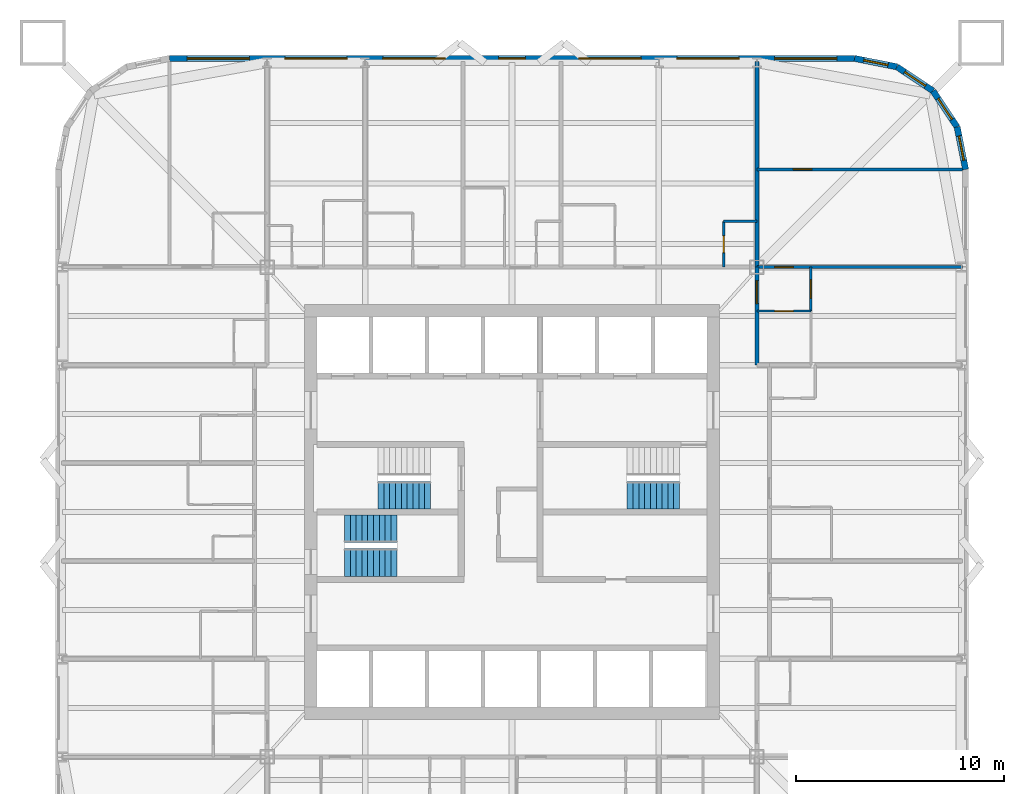
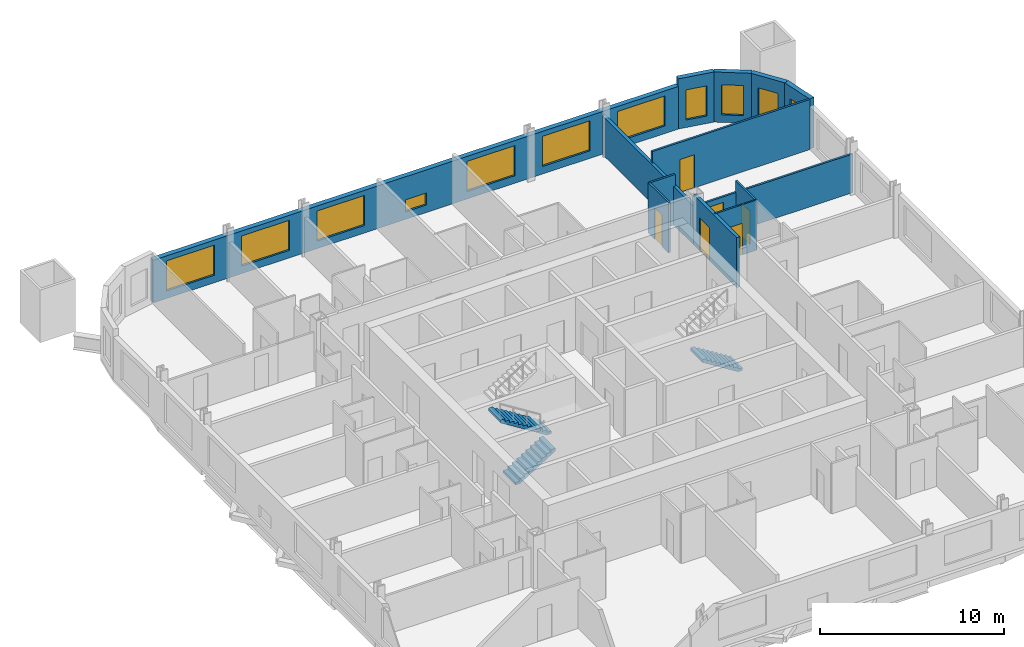
# One storey, part 8 of 10: 13 walls, 11 windows, 6 doors, 4 stair flights, 17 openings, 3 elements without a shape of their own.
"""IFC4 building model written with IfcOpenShell, lengths in metres."""

from ifc_helpers import new_model, si_unit, direction, frame, frame_2d, origin, place, context, subcontext, project, spatial, polyline, rectangle, outline, extrude, material, layer, layer_set, type_object, element, fill, aggregate, save


model = new_model("IFC4")

# Units and contexts
model_context = context("Model", 3, precision=1e-05, world=origin(), true_north=direction((0.0, 1.0)))
body_context = subcontext(model_context, "Body", "Model", "MODEL_VIEW")
ifc_project = project(units=[si_unit("LENGTHUNIT", "METRE"), si_unit("AREAUNIT", "SQUARE_METRE"), si_unit("VOLUMEUNIT", "CUBIC_METRE"), si_unit("PLANEANGLEUNIT", "RADIAN"), si_unit("MASSUNIT", "GRAM", prefix="KILO")], contexts=[model_context])

# Site, building, storey
site_placement = place(None, origin())
site = spatial("IfcSite", under=ifc_project, at=site_placement, CompositionType="ELEMENT")
building_placement = place(site_placement, origin())
building = spatial("IfcBuilding", under=site, at=building_placement, Name="Turquesa Mirador Hotel Tower", CompositionType="ELEMENT")
storey_placement = place(building_placement, frame((0.0, 0.0, 53.0)))
storey = spatial("IfcBuildingStorey", under=building, at=storey_placement, Name="L13", CompositionType="ELEMENT", Elevation=53.0)

# Wall, opening, door
ifc_material_1 = material(Name="Gypsum board on steel studs", Category="steel")
ifc_layer_1 = layer(ifc_material_1, 0.10009765625)
ifc_layer_set_1 = layer_set([ifc_layer_1], Name="BATHROOM WALL 100")
wall_type_1 = type_object("IfcWallType", Name="BATHROOM WALL 100", PredefinedType="PARTITIONING", material=ifc_layer_set_1)
wall_1_placement = place(storey_placement, frame((66.800048828125, 54.679931640625, 0.0), z_axis=(0.0, 0.0, 1.0), x_axis=(1.0, 0.0, 0.0)))
wall_1 = element("IfcWall", 1, at=wall_1_placement, inside=storey, type_object=wall_type_1, Name="Partition L13 047", PredefinedType="PARTITIONING", context=body_context, shape_type="SweptSolid", body=[
    extrude(rectangle(XDim=2.599853515625, YDim=0.10009765625, at=frame_2d((1.2998046875, 0.0))), origin(), (0.0, 0.0, 1.0), 3.330078125),
])
opening_1_placement = place(wall_1_placement, frame((0.85009765625, 0.0, 0.0)))
opening_1 = element("IfcOpeningElement", 2, at=opening_1_placement, cuts=wall_1, Name="Opening D02", PredefinedType="OPENING", context=body_context, shape_type="SweptSolid", body=[
    extrude(rectangle(XDim=0.89990234375, YDim=2.10009765625, at=frame_2d((0.449951171875, 1.050048828125))), frame((0.0, 0.06005859375, 0.0), z_axis=(0.0, -1.0, 0.0), x_axis=(1.0, 0.0, 0.0)), (0.0, 0.0, 1.0), 0.1201171875),
])
ifc_material_2 = material(Name="Timber veneered door", Category="wood")
door_type_1 = type_object("IfcDoorType", Name="DOOR 900X2100 EN-SUITE", OperationType="SINGLE_SWING_RIGHT", PredefinedType="DOOR", material=ifc_material_2)
door_1_placement = place(opening_1_placement, origin())
door_1 = element("IfcDoor", 3, at=door_1_placement, inside=storey, type_object=door_type_1, Name="Door 1313B", OperationType="SINGLE_SWING_RIGHT", OverallHeight=2.10009765625, OverallWidth=0.89990234375, PredefinedType="DOOR", context=body_context, shape_type="SweptSolid", body=[
    extrude(rectangle(XDim=0.89990234375, YDim=2.10009765625, at=frame_2d((0.449951171875, 1.050048828125))), frame((0.0, 0.02490234375, 0.0), z_axis=(0.0, -1.0, 0.0), x_axis=(1.0, 0.0, 0.0)), (0.0, 0.0, 1.0), 0.050048828125),
])
fill(opening_1, door_1)

ifc_material_3 = material(Name="Fire-rated gypsum board on steel studs", Category="steel")
ifc_layer_2 = layer(ifc_material_3, 0.199951171875)
ifc_layer_set_2 = layer_set([ifc_layer_2], Name="CORRIDOR WALL 200")
wall_type_2 = type_object("IfcWallType", Name="CORRIDOR WALL 200", PredefinedType="PARTITIONING", material=ifc_layer_set_2)
wall_2_placement = place(storey_placement, frame((66.800048828125, 52.080078125, 0.0), z_axis=(0.0, 0.0, 1.0), x_axis=(0.0, 1.0, 0.0)))
wall_2 = element("IfcWall", 4, at=wall_2_placement, inside=storey, type_object=wall_type_2, Name="Partition L13 075", PredefinedType="PARTITIONING", context=body_context, shape_type="SweptSolid", body=[
    extrude(rectangle(XDim=4.719970703125, YDim=0.199951171875, at=frame_2d((2.35986328125, 0.0))), origin(), (0.0, 0.0, 1.0), 3.330078125),
])
opening_2_placement = place(wall_2_placement, frame((2.9599609375, 0.0, 0.0)))
opening_2 = element("IfcOpeningElement", 5, at=opening_2_placement, cuts=wall_2, Name="Opening D15", PredefinedType="OPENING", context=body_context, shape_type="SweptSolid", body=[
    extrude(rectangle(XDim=1.10009765625, YDim=2.199951171875, at=frame_2d((0.550048828125, 1.10009765625))), frame((0.0, 0.10986328125, 0.0), z_axis=(0.0, -1.0, 0.0), x_axis=(1.0, 0.0, 0.0)), (0.0, 0.0, 1.0), 0.219970703125),
])
ifc_material_4 = material(Name="Timber veneered fire door", Category="wood")
door_type_2 = type_object("IfcDoorType", Name="DOOR 1100X2200 SUITE ENTRY", OperationType="SINGLE_SWING_LEFT", PredefinedType="DOOR", material=ifc_material_4)
door_2_placement = place(opening_2_placement, origin())
door_2 = element("IfcDoor", 6, at=door_2_placement, inside=storey, type_object=door_type_2, Name="Door 1313H", OperationType="SINGLE_SWING_LEFT", OverallHeight=2.199951171875, OverallWidth=1.10009765625, PredefinedType="DOOR", context=body_context, shape_type="SweptSolid", body=[
    extrude(rectangle(XDim=1.10009765625, YDim=2.199951171875, at=frame_2d((0.550048828125, 1.10009765625))), frame((0.0, 0.02490234375, 0.0), z_axis=(0.0, -1.0, 0.0), x_axis=(1.0, 0.0, 0.0)), (0.0, 0.0, 1.0), 0.050048828125),
])
fill(opening_2, door_2)

# Wall, opening, window
ifc_material_5 = material(Name="Limestone cladding on concrete block", Category="masonry")
ifc_layer_3 = layer(ifc_material_5, 0.300048828125)
ifc_layer_set_3 = layer_set([ifc_layer_3], Name="FACADE WALL 300 STONE SCREEN")
wall_type_3 = type_object("IfcWallType", Name="FACADE WALL 300 STONE SCREEN", PredefinedType="SOLIDWALL", material=ifc_layer_set_3)
wall_3_placement = place(storey_placement, frame((76.85009765625, 61.5, 0.0), z_axis=(0.0, 0.0, 1.0), x_axis=(-0.195081421501, 0.980787050784, 0.0)))
wall_3 = element("IfcWall", 7, at=wall_3_placement, inside=storey, type_object=wall_type_3, Name="Facade wall L13 05", PredefinedType="SOLIDWALL", context=body_context, shape_type="SweptSolid", body=[
    extrude(rectangle(XDim=2.08740234375, YDim=0.300048828125, at=frame_2d((1.043701171875, 0.0))), origin(), (0.0, 0.0, 1.0), 3.330078125),
])
opening_3_placement = place(wall_3_placement, frame((0.443603515625, 0.0, 0.5)))
opening_3 = element("IfcOpeningElement", 8, at=opening_3_placement, cuts=wall_3, Name="Opening WN4", PredefinedType="OPENING", context=body_context, shape_type="SweptSolid", body=[
    extrude(rectangle(XDim=1.199951171875, YDim=2.0, at=frame_2d((0.60009765625, 1.0))), frame((0.0, 0.159912109375, 0.0), z_axis=(0.0, -1.0, 0.0), x_axis=(1.0, 0.0, 0.0)), (0.0, 0.0, 1.0), 0.320068359375),
])
ifc_material_6 = material(Name="Ceramic-fritted laminated glass", Category="glass")
window_type_1 = type_object("IfcWindowType", Name="FRITTED CORNER WINDOW 1200X2000", PartitioningType="DOUBLE_PANEL_HORIZONTAL", PredefinedType="WINDOW", material=ifc_material_6)
window_1_placement = place(opening_3_placement, origin())
window_1 = element("IfcWindow", 9, at=window_1_placement, inside=storey, type_object=window_type_1, Name="Window L13", OverallHeight=2.0, OverallWidth=1.199951171875, PartitioningType="SINGLE_PANEL", PredefinedType="WINDOW", context=body_context, shape_type="SweptSolid", body=[
    extrude(rectangle(XDim=1.199951171875, YDim=2.0, at=frame_2d((0.60009765625, 1.0))), frame((0.0, 0.030029296875, 0.0), z_axis=(0.0, -1.0, 0.0), x_axis=(1.0, 0.0, 0.0)), (0.0, 0.0, 1.0), 0.06005859375),
])
fill(opening_3, window_1)

wall_4_placement = place(storey_placement, frame((76.44287109375, 63.54736328125, 0.0), z_axis=(0.0, 0.0, 1.0), x_axis=(-0.555644460423, 0.831420010345, 0.0)))
wall_4 = element("IfcWall", 10, at=wall_4_placement, inside=storey, type_object=wall_type_3, Name="Facade wall L13 06", PredefinedType="SOLIDWALL", context=body_context, shape_type="SweptSolid", body=[
    extrude(rectangle(XDim=2.08740234375, YDim=0.300048828125, at=frame_2d((1.043701171875, 0.0))), origin(), (0.0, 0.0, 1.0), 3.330078125),
])
opening_4_placement = place(wall_4_placement, frame((0.443603515625, 0.0, 0.5)))
opening_4 = element("IfcOpeningElement", 11, at=opening_4_placement, cuts=wall_4, Name="Opening WN4", PredefinedType="OPENING", context=body_context, shape_type="SweptSolid", body=[
    extrude(rectangle(XDim=1.199951171875, YDim=2.0, at=frame_2d((0.60009765625, 1.0))), frame((0.0, 0.159912109375, 0.0), z_axis=(0.0, -1.0, 0.0), x_axis=(1.0, 0.0, 0.0)), (0.0, 0.0, 1.0), 0.320068359375),
])
window_2_placement = place(opening_4_placement, origin())
window_2 = element("IfcWindow", 12, at=window_2_placement, inside=storey, type_object=window_type_1, Name="Window L13", OverallHeight=2.0, OverallWidth=1.199951171875, PartitioningType="SINGLE_PANEL", PredefinedType="WINDOW", context=body_context, shape_type="SweptSolid", body=[
    extrude(rectangle(XDim=1.199951171875, YDim=2.0, at=frame_2d((0.60009765625, 1.0))), frame((0.0, 0.030029296875, 0.0), z_axis=(0.0, -1.0, 0.0), x_axis=(1.0, 0.0, 0.0)), (0.0, 0.0, 1.0), 0.06005859375),
])
fill(opening_4, window_2)

wall_5_placement = place(storey_placement, frame((75.282958984375, 65.282958984375, 0.0), z_axis=(0.0, 0.0, 1.0), x_axis=(-0.831420010345, 0.555644460423, 0.0)))
wall_5 = element("IfcWall", 13, at=wall_5_placement, inside=storey, type_object=wall_type_3, Name="Facade wall L13 07", PredefinedType="SOLIDWALL", context=body_context, shape_type="SweptSolid", body=[
    extrude(rectangle(XDim=2.08740234375, YDim=0.300048828125, at=frame_2d((1.043701171875, 0.0))), origin(), (0.0, 0.0, 1.0), 3.330078125),
])
opening_5_placement = place(wall_5_placement, frame((0.443603515625, 0.0, 0.5)))
opening_5 = element("IfcOpeningElement", 14, at=opening_5_placement, cuts=wall_5, Name="Opening WN4", PredefinedType="OPENING", context=body_context, shape_type="SweptSolid", body=[
    extrude(rectangle(XDim=1.199951171875, YDim=2.0, at=frame_2d((0.60009765625, 1.0))), frame((0.0, 0.159912109375, 0.0), z_axis=(0.0, -1.0, 0.0), x_axis=(1.0, 0.0, 0.0)), (0.0, 0.0, 1.0), 0.320068359375),
])
window_3_placement = place(opening_5_placement, origin())
window_3 = element("IfcWindow", 15, at=window_3_placement, inside=storey, type_object=window_type_1, Name="Window L13", OverallHeight=2.0, OverallWidth=1.199951171875, PartitioningType="SINGLE_PANEL", PredefinedType="WINDOW", context=body_context, shape_type="SweptSolid", body=[
    extrude(rectangle(XDim=1.199951171875, YDim=2.0, at=frame_2d((0.60009765625, 1.0))), frame((0.0, 0.030029296875, 0.0), z_axis=(0.0, -1.0, 0.0), x_axis=(1.0, 0.0, 0.0)), (0.0, 0.0, 1.0), 0.06005859375),
])
fill(opening_5, window_3)

wall_6_placement = place(storey_placement, frame((73.54736328125, 66.44287109375, 0.0), z_axis=(0.0, 0.0, 1.0), x_axis=(-0.980787050784, 0.195081421501, 0.0)))
wall_6 = element("IfcWall", 16, at=wall_6_placement, inside=storey, type_object=wall_type_3, Name="Facade wall L13 08", PredefinedType="SOLIDWALL", context=body_context, shape_type="SweptSolid", body=[
    extrude(rectangle(XDim=2.08740234375, YDim=0.300048828125, at=frame_2d((1.043701171875, 0.0))), origin(), (0.0, 0.0, 1.0), 3.330078125),
])
opening_6_placement = place(wall_6_placement, frame((0.443603515625, 0.0, 0.5)))
opening_6 = element("IfcOpeningElement", 17, at=opening_6_placement, cuts=wall_6, Name="Opening WN4", PredefinedType="OPENING", context=body_context, shape_type="SweptSolid", body=[
    extrude(rectangle(XDim=1.199951171875, YDim=2.0, at=frame_2d((0.60009765625, 1.0))), frame((0.0, 0.159912109375, 0.0), z_axis=(0.0, -1.0, 0.0), x_axis=(1.0, 0.0, 0.0)), (0.0, 0.0, 1.0), 0.320068359375),
])
window_4_placement = place(opening_6_placement, origin())
window_4 = element("IfcWindow", 18, at=window_4_placement, inside=storey, type_object=window_type_1, Name="Window L13", OverallHeight=2.0, OverallWidth=1.199951171875, PartitioningType="SINGLE_PANEL", PredefinedType="WINDOW", context=body_context, shape_type="SweptSolid", body=[
    extrude(rectangle(XDim=1.199951171875, YDim=2.0, at=frame_2d((0.60009765625, 1.0))), frame((0.0, 0.030029296875, 0.0), z_axis=(0.0, -1.0, 0.0), x_axis=(1.0, 0.0, 0.0)), (0.0, 0.0, 1.0), 0.06005859375),
])
fill(opening_6, window_4)

# Wall, openings, windows
wall_7_placement = place(storey_placement, frame((71.5, 66.85009765625, 0.0), z_axis=(0.0, 0.0, 1.0), x_axis=(-1.0, 0.0, 0.0)))
wall_7 = element("IfcWall", 19, at=wall_7_placement, inside=storey, type_object=wall_type_3, Name="Facade wall L13 09", PredefinedType="SOLIDWALL", context=body_context, shape_type="SweptSolid", body=[
    extrude(rectangle(XDim=33.0, YDim=0.300048828125, at=frame_2d((16.5, 0.0))), origin(), (0.0, 0.0, 1.0), 2.830078125),
])
opening_7_placement = place(wall_7_placement, frame((0.85009765625, 0.0, 0.5)))
opening_7 = element("IfcOpeningElement", 20, at=opening_7_placement, cuts=wall_7, Name="Opening WN1", PredefinedType="OPENING", context=body_context, shape_type="SweptSolid", body=[
    extrude(rectangle(XDim=3.0, YDim=2.0, at=frame_2d((1.5, 1.0))), frame((0.0, 0.159912109375, 0.0), z_axis=(0.0, -1.0, 0.0), x_axis=(1.0, 0.0, 0.0)), (0.0, 0.0, 1.0), 0.320068359375),
])
opening_8_placement = place(wall_7_placement, frame((5.56005859375, 0.0, 0.5)))
opening_8 = element("IfcOpeningElement", 21, at=opening_8_placement, cuts=wall_7, Name="Opening WN1", PredefinedType="OPENING", context=body_context, shape_type="SweptSolid", body=[
    extrude(rectangle(XDim=3.0, YDim=2.0, at=frame_2d((1.5, 1.0))), frame((0.0, 0.159912109375, 0.0), z_axis=(0.0, -1.0, 0.0), x_axis=(1.0, 0.0, 0.0)), (0.0, 0.0, 1.0), 0.320068359375),
])
opening_9_placement = place(wall_7_placement, frame((10.280029296875, 0.0, 0.5)))
opening_9 = element("IfcOpeningElement", 22, at=opening_9_placement, cuts=wall_7, Name="Opening WN1", PredefinedType="OPENING", context=body_context, shape_type="SweptSolid", body=[
    extrude(rectangle(XDim=3.0, YDim=2.0, at=frame_2d((1.5, 1.0))), frame((0.0, 0.159912109375, 0.0), z_axis=(0.0, -1.0, 0.0), x_axis=(1.0, 0.0, 0.0)), (0.0, 0.0, 1.0), 0.320068359375),
])
opening_10_placement = place(wall_7_placement, frame((15.85009765625, 0.0, 0.5)))
opening_10 = element("IfcOpeningElement", 23, at=opening_10_placement, cuts=wall_7, Name="Opening WN41", PredefinedType="OPENING", context=body_context, shape_type="SweptSolid", body=[
    extrude(rectangle(XDim=1.300048828125, YDim=0.800048828125, at=frame_2d((0.64990234375, 0.39990234375))), frame((0.0, 0.159912109375, 0.0), z_axis=(0.0, -1.0, 0.0), x_axis=(1.0, 0.0, 0.0)), (0.0, 0.0, 1.0), 0.320068359375),
])
opening_11_placement = place(wall_7_placement, frame((19.719970703125, 0.0, 0.5)))
opening_11 = element("IfcOpeningElement", 24, at=opening_11_placement, cuts=wall_7, Name="Opening WN1", PredefinedType="OPENING", context=body_context, shape_type="SweptSolid", body=[
    extrude(rectangle(XDim=3.0, YDim=2.0, at=frame_2d((1.5, 1.0))), frame((0.0, 0.159912109375, 0.0), z_axis=(0.0, -1.0, 0.0), x_axis=(1.0, 0.0, 0.0)), (0.0, 0.0, 1.0), 0.320068359375),
])
opening_12_placement = place(wall_7_placement, frame((24.43994140625, 0.0, 0.5)))
opening_12 = element("IfcOpeningElement", 25, at=opening_12_placement, cuts=wall_7, Name="Opening WN1", PredefinedType="OPENING", context=body_context, shape_type="SweptSolid", body=[
    extrude(rectangle(XDim=3.0, YDim=2.0, at=frame_2d((1.5, 1.0))), frame((0.0, 0.159912109375, 0.0), z_axis=(0.0, -1.0, 0.0), x_axis=(1.0, 0.0, 0.0)), (0.0, 0.0, 1.0), 0.320068359375),
])
opening_13_placement = place(wall_7_placement, frame((29.14990234375, 0.0, 0.5)))
opening_13 = element("IfcOpeningElement", 26, at=opening_13_placement, cuts=wall_7, Name="Opening WN1", PredefinedType="OPENING", context=body_context, shape_type="SweptSolid", body=[
    extrude(rectangle(XDim=3.0, YDim=2.0, at=frame_2d((1.5, 1.0))), frame((0.0, 0.159912109375, 0.0), z_axis=(0.0, -1.0, 0.0), x_axis=(1.0, 0.0, 0.0)), (0.0, 0.0, 1.0), 0.320068359375),
])
ifc_material_7 = material(Name="Ceramic-fritted laminated glass", Category="glass")
window_type_2 = type_object("IfcWindowType", Name="FRITTED WINDOW 1300X800", PartitioningType="DOUBLE_PANEL_HORIZONTAL", PredefinedType="WINDOW", material=ifc_material_7)
window_5_placement = place(opening_10_placement, origin())
window_5 = element("IfcWindow", 27, at=window_5_placement, inside=storey, type_object=window_type_2, Name="Window L13", OverallHeight=0.800048828125, OverallWidth=1.300048828125, PartitioningType="SINGLE_PANEL", PredefinedType="WINDOW", context=body_context, shape_type="SweptSolid", body=[
    extrude(rectangle(XDim=1.300048828125, YDim=0.800048828125, at=frame_2d((0.64990234375, 0.39990234375))), frame((0.0, 0.030029296875, 0.0), z_axis=(0.0, -1.0, 0.0), x_axis=(1.0, 0.0, 0.0)), (0.0, 0.0, 1.0), 0.06005859375),
])
fill(opening_10, window_5)
ifc_material_8 = material(Name="Ceramic-fritted laminated glass", Category="glass")
window_type_3 = type_object("IfcWindowType", Name="FRITTED WINDOW 3000X2000", PartitioningType="DOUBLE_PANEL_HORIZONTAL", PredefinedType="WINDOW", material=ifc_material_8)
window_6_placement = place(opening_7_placement, origin())
window_6 = element("IfcWindow", 28, at=window_6_placement, inside=storey, type_object=window_type_3, Name="Window L13", OverallHeight=2.0, OverallWidth=3.0, PartitioningType="SINGLE_PANEL", PredefinedType="WINDOW", context=body_context, shape_type="SweptSolid", body=[
    extrude(rectangle(XDim=3.0, YDim=2.0, at=frame_2d((1.5, 1.0))), frame((0.0, 0.030029296875, 0.0), z_axis=(0.0, -1.0, 0.0), x_axis=(1.0, 0.0, 0.0)), (0.0, 0.0, 1.0), 0.06005859375),
])
fill(opening_7, window_6)
window_7_placement = place(opening_8_placement, origin())
window_7 = element("IfcWindow", 29, at=window_7_placement, inside=storey, type_object=window_type_3, Name="Window L13", OverallHeight=2.0, OverallWidth=3.0, PartitioningType="SINGLE_PANEL", PredefinedType="WINDOW", context=body_context, shape_type="SweptSolid", body=[
    extrude(rectangle(XDim=3.0, YDim=2.0, at=frame_2d((1.5, 1.0))), frame((0.0, 0.030029296875, 0.0), z_axis=(0.0, -1.0, 0.0), x_axis=(1.0, 0.0, 0.0)), (0.0, 0.0, 1.0), 0.06005859375),
])
fill(opening_8, window_7)
window_8_placement = place(opening_9_placement, origin())
window_8 = element("IfcWindow", 30, at=window_8_placement, inside=storey, type_object=window_type_3, Name="Window L13", OverallHeight=2.0, OverallWidth=3.0, PartitioningType="SINGLE_PANEL", PredefinedType="WINDOW", context=body_context, shape_type="SweptSolid", body=[
    extrude(rectangle(XDim=3.0, YDim=2.0, at=frame_2d((1.5, 1.0))), frame((0.0, 0.030029296875, 0.0), z_axis=(0.0, -1.0, 0.0), x_axis=(1.0, 0.0, 0.0)), (0.0, 0.0, 1.0), 0.06005859375),
])
fill(opening_9, window_8)
window_9_placement = place(opening_11_placement, origin())
window_9 = element("IfcWindow", 31, at=window_9_placement, inside=storey, type_object=window_type_3, Name="Window L13", OverallHeight=2.0, OverallWidth=3.0, PartitioningType="SINGLE_PANEL", PredefinedType="WINDOW", context=body_context, shape_type="SweptSolid", body=[
    extrude(rectangle(XDim=3.0, YDim=2.0, at=frame_2d((1.5, 1.0))), frame((0.0, 0.030029296875, 0.0), z_axis=(0.0, -1.0, 0.0), x_axis=(1.0, 0.0, 0.0)), (0.0, 0.0, 1.0), 0.06005859375),
])
fill(opening_11, window_9)
window_10_placement = place(opening_12_placement, origin())
window_10 = element("IfcWindow", 32, at=window_10_placement, inside=storey, type_object=window_type_3, Name="Window L13", OverallHeight=2.0, OverallWidth=3.0, PartitioningType="SINGLE_PANEL", PredefinedType="WINDOW", context=body_context, shape_type="SweptSolid", body=[
    extrude(rectangle(XDim=3.0, YDim=2.0, at=frame_2d((1.5, 1.0))), frame((0.0, 0.030029296875, 0.0), z_axis=(0.0, -1.0, 0.0), x_axis=(1.0, 0.0, 0.0)), (0.0, 0.0, 1.0), 0.06005859375),
])
fill(opening_12, window_10)
window_11_placement = place(opening_13_placement, origin())
window_11 = element("IfcWindow", 33, at=window_11_placement, inside=storey, type_object=window_type_3, Name="Window L13", OverallHeight=2.0, OverallWidth=3.0, PartitioningType="SINGLE_PANEL", PredefinedType="WINDOW", context=body_context, shape_type="SweptSolid", body=[
    extrude(rectangle(XDim=3.0, YDim=2.0, at=frame_2d((1.5, 1.0))), frame((0.0, 0.030029296875, 0.0), z_axis=(0.0, -1.0, 0.0), x_axis=(1.0, 0.0, 0.0)), (0.0, 0.0, 1.0), 0.06005859375),
])
fill(opening_13, window_11)

# Wall
ifc_material_9 = material(Name="Fire-rated gypsum board on steel studs", Category="steel")
ifc_layer_4 = layer(ifc_material_9, 0.199951171875)
ifc_layer_set_4 = layer_set([ifc_layer_4], Name="PARTY WALL 200")
wall_type_4 = type_object("IfcWallType", Name="PARTY WALL 200", PredefinedType="PARTITIONING", material=ifc_layer_set_4)
wall_8_placement = place(storey_placement, frame((66.800048828125, 56.800048828125, 0.0), z_axis=(0.0, 0.0, 1.0), x_axis=(0.0, 1.0, 0.0)))
element("IfcWall", 34, at=wall_8_placement, inside=storey, type_object=wall_type_4, Name="Partition L13 078", PredefinedType="PARTITIONING", context=body_context, shape_type="SweptSolid", body=[
    extrude(rectangle(XDim=9.89990234375, YDim=0.199951171875, at=frame_2d((4.949951171875, 0.0))), origin(), (0.0, 0.0, 1.0), 2.572998046875),
])

# Wall, opening, door
ifc_material_10 = material(Name="Acoustic gypsum board on steel studs", Category="steel")
ifc_layer_5 = layer(ifc_material_10, 0.125)
ifc_layer_set_5 = layer_set([ifc_layer_5], Name="SUITE PARTITION 125")
wall_type_5 = type_object("IfcWallType", Name="SUITE PARTITION 125", PredefinedType="PARTITIONING", material=ifc_layer_set_5)
wall_9_placement = place(storey_placement, frame((66.800048828125, 56.800048828125, 0.0), z_axis=(0.0, 0.0, 1.0), x_axis=(1.0, 0.0, 0.0)))
wall_9 = element("IfcWall", 35, at=wall_9_placement, inside=storey, type_object=wall_type_5, Name="Partition L13 028", PredefinedType="PARTITIONING", context=body_context, shape_type="SweptSolid", body=[
    extrude(rectangle(XDim=9.89990234375, YDim=0.125, at=frame_2d((4.949951171875, 0.0))), origin(), (0.0, 0.0, 1.0), 2.572998046875),
])
opening_14_placement = place(wall_9_placement, frame((0.85009765625, 0.0, 0.0)))
opening_14 = element("IfcOpeningElement", 36, at=opening_14_placement, cuts=wall_9, Name="Opening D17", PredefinedType="OPENING", context=body_context, shape_type="SweptSolid", body=[
    extrude(rectangle(XDim=0.89990234375, YDim=2.199951171875, at=frame_2d((0.449951171875, 1.10009765625))), frame((0.0, 0.072509765625, 0.0), z_axis=(0.0, -1.0, 0.0), x_axis=(1.0, 0.0, 0.0)), (0.0, 0.0, 1.0), 0.14501953125),
])
ifc_material_11 = material(Name="Timber veneered door", Category="wood")
door_type_3 = type_object("IfcDoorType", Name="DOOR 900X2200 SUITE INTERNAL", OperationType="SINGLE_SWING_LEFT", PredefinedType="DOOR", material=ifc_material_11)
door_3_placement = place(opening_14_placement, origin())
door_3 = element("IfcDoor", 37, at=door_3_placement, inside=storey, type_object=door_type_3, Name="Door 1313", OperationType="SINGLE_SWING_LEFT", OverallHeight=2.199951171875, OverallWidth=0.89990234375, PredefinedType="DOOR", context=body_context, shape_type="SweptSolid", body=[
    extrude(rectangle(XDim=0.89990234375, YDim=2.199951171875, at=frame_2d((0.449951171875, 1.10009765625))), frame((0.0, 0.02490234375, 0.0), z_axis=(0.0, -1.0, 0.0), x_axis=(1.0, 0.0, 0.0)), (0.0, 0.0, 1.0), 0.050048828125),
])
fill(opening_14, door_3)

# Wall
wall_10_placement = place(storey_placement, frame((65.199951171875, 59.0, 0.0), z_axis=(0.0, 0.0, 1.0), x_axis=(1.0, 0.0, 0.0)))
element("IfcWall", 38, at=wall_10_placement, inside=storey, type_object=wall_type_5, Name="Partition L13 031", PredefinedType="PARTITIONING", context=body_context, shape_type="SweptSolid", body=[
    extrude(rectangle(XDim=1.60009765625, YDim=0.125, at=frame_2d((0.800048828125, 0.0))), origin(), (0.0, 0.0, 1.0), 3.330078125),
])

# Wall, opening, door
wall_11_placement = place(storey_placement, frame((66.800048828125, 61.5, 0.0), z_axis=(0.0, 0.0, 1.0), x_axis=(1.0, 0.0, 0.0)))
wall_11 = element("IfcWall", 39, at=wall_11_placement, inside=storey, type_object=wall_type_5, Name="Partition L13 037", PredefinedType="PARTITIONING", context=body_context, shape_type="SweptSolid", body=[
    extrude(rectangle(XDim=9.89404296875, YDim=0.125, at=frame_2d((4.947021484375, 0.0))), origin(), (0.0, 0.0, 1.0), 3.330078125),
])
opening_15_placement = place(wall_11_placement, frame((1.75, 0.0, 0.0)))
opening_15 = element("IfcOpeningElement", 40, at=opening_15_placement, cuts=wall_11, Name="Opening D17", PredefinedType="OPENING", context=body_context, shape_type="SweptSolid", body=[
    extrude(rectangle(XDim=0.89990234375, YDim=2.199951171875, at=frame_2d((0.449951171875, 1.10009765625))), frame((0.0, 0.072509765625, 0.0), z_axis=(0.0, -1.0, 0.0), x_axis=(1.0, 0.0, 0.0)), (0.0, 0.0, 1.0), 0.14501953125),
])
door_4_placement = place(opening_15_placement, origin())
door_4 = element("IfcDoor", 41, at=door_4_placement, inside=storey, type_object=door_type_3, Name="Door 1313M", OperationType="SINGLE_SWING_LEFT", OverallHeight=2.199951171875, OverallWidth=0.89990234375, PredefinedType="DOOR", context=body_context, shape_type="SweptSolid", body=[
    extrude(rectangle(XDim=0.89990234375, YDim=2.199951171875, at=frame_2d((0.449951171875, 1.10009765625))), frame((0.0, 0.02490234375, 0.0), z_axis=(0.0, -1.0, 0.0), x_axis=(1.0, 0.0, 0.0)), (0.0, 0.0, 1.0), 0.050048828125),
])
fill(opening_15, door_4)

wall_12_placement = place(storey_placement, frame((65.199951171875, 56.800048828125, 0.0), z_axis=(0.0, 0.0, 1.0), x_axis=(0.0, 1.0, 0.0)))
wall_12 = element("IfcWall", 42, at=wall_12_placement, inside=storey, type_object=wall_type_5, Name="Partition L13 073", PredefinedType="PARTITIONING", context=body_context, shape_type="SweptSolid", body=[
    extrude(rectangle(XDim=2.199951171875, YDim=0.125, at=frame_2d((1.10009765625, 0.0))), origin(), (0.0, 0.0, 1.0), 3.330078125),
])
opening_16_placement = place(wall_12_placement, frame((0.699951171875, 0.0, 0.0)))
opening_16 = element("IfcOpeningElement", 43, at=opening_16_placement, cuts=wall_12, Name="Opening D20", PredefinedType="OPENING", context=body_context, shape_type="SweptSolid", body=[
    extrude(rectangle(XDim=0.800048828125, YDim=2.10009765625, at=frame_2d((0.39990234375, 1.050048828125))), frame((0.0, 0.072509765625, 0.0), z_axis=(0.0, -1.0, 0.0), x_axis=(1.0, 0.0, 0.0)), (0.0, 0.0, 1.0), 0.14501953125),
])
ifc_material_12 = material(Name="Timber veneered sliding door", Category="wood")
door_type_4 = type_object("IfcDoorType", Name="DOOR 800X2100 WARDROBE", OperationType="SLIDING_TO_LEFT", PredefinedType="DOOR", material=ifc_material_12)
door_5_placement = place(opening_16_placement, origin())
door_5 = element("IfcDoor", 44, at=door_5_placement, inside=storey, type_object=door_type_4, Name="Door 1304W", OperationType="SLIDING_TO_LEFT", OverallHeight=2.10009765625, OverallWidth=0.800048828125, PredefinedType="DOOR", context=body_context, shape_type="SweptSolid", body=[
    extrude(rectangle(XDim=0.800048828125, YDim=2.10009765625, at=frame_2d((0.39990234375, 1.050048828125))), frame((0.0, 0.02490234375, 0.0), z_axis=(0.0, -1.0, 0.0), x_axis=(1.0, 0.0, 0.0)), (0.0, 0.0, 1.0), 0.050048828125),
])
fill(opening_16, door_5)

wall_13_placement = place(storey_placement, frame((69.39990234375, 54.679931640625, 0.0), z_axis=(0.0, 0.0, 1.0), x_axis=(0.0, 1.0, 0.0)))
wall_13 = element("IfcWall", 45, at=wall_13_placement, inside=storey, type_object=wall_type_5, Name="Partition L13 083", PredefinedType="PARTITIONING", context=body_context, shape_type="SweptSolid", body=[
    extrude(rectangle(XDim=2.1201171875, YDim=0.125, at=frame_2d((1.06005859375, 0.0))), origin(), (0.0, 0.0, 1.0), 3.330078125),
])
opening_17_placement = place(wall_13_placement, frame((0.610107421875, 0.0, 0.0)))
opening_17 = element("IfcOpeningElement", 46, at=opening_17_placement, cuts=wall_13, Name="Opening D17", PredefinedType="OPENING", context=body_context, shape_type="SweptSolid", body=[
    extrude(rectangle(XDim=0.89990234375, YDim=2.199951171875, at=frame_2d((0.449951171875, 1.10009765625))), frame((0.0, 0.072509765625, 0.0), z_axis=(0.0, -1.0, 0.0), x_axis=(1.0, 0.0, 0.0)), (0.0, 0.0, 1.0), 0.14501953125),
])
door_6_placement = place(opening_17_placement, origin())
door_6 = element("IfcDoor", 47, at=door_6_placement, inside=storey, type_object=door_type_3, Name="Door 1313R", OperationType="SINGLE_SWING_LEFT", OverallHeight=2.199951171875, OverallWidth=0.89990234375, PredefinedType="DOOR", context=body_context, shape_type="SweptSolid", body=[
    extrude(rectangle(XDim=0.89990234375, YDim=2.199951171875, at=frame_2d((0.449951171875, 1.10009765625))), frame((0.0, 0.02490234375, 0.0), z_axis=(0.0, -1.0, 0.0), x_axis=(1.0, 0.0, 0.0)), (0.0, 0.0, 1.0), 0.050048828125),
])
fill(opening_17, door_6)

# Stair, stair flight
ifc_material_13 = material(Name="Concrete C35/45", Category="concrete")
stair_type = type_object("IfcStairType", Name="ESCAPE STAIR CORE", PredefinedType="HALF_TURN_STAIR", material=ifc_material_13)
stair_1_placement = place(storey_placement, origin())
stair_1 = element("IfcStair", 48, at=stair_1_placement, inside=storey, type_object=stair_type, Name="Stair ST1 L13 to L14", PredefinedType="HALF_TURN_STAIR")
ifc_material_14 = material(Name="Concrete C35/45 precast flight", Category="concrete")
stair_flight_type = type_object("IfcStairFlightType", Name="STAIR FLIGHT 1330", PredefinedType="STRAIGHT", material=ifc_material_14)
stair_flight_1_placement = place(storey_placement, frame((51.070068359375, 45.81494140625, 0.0), z_axis=(0.0, 0.0, 1.0), x_axis=(-1.0, 0.0, 0.0)))
stair_flight_1 = element("IfcStairFlight", 49, at=stair_flight_1_placement, type_object=stair_flight_type, Name="ST1 flight 1", NumberOfRisers=10, NumberOfTreads=9, PredefinedType="STRAIGHT", RiserHeight=0.175, TreadLength=0.28, context=body_context, shape_type="SweptSolid", body=[
    extrude(outline(polyline([(0.0, 0.0), (0.0, 0.175048828125), (0.280029296875, 0.175048828125), (0.280029296875, 0.35009765625), (0.56005859375, 0.35009765625), (0.56005859375, 0.52490234375), (0.840087890625, 0.52490234375), (0.840087890625, 0.699951171875), (1.1201171875, 0.699951171875), (1.1201171875, 0.875), (1.39990234375, 0.875), (1.39990234375, 1.050048828125), (1.679931640625, 1.050048828125), (1.679931640625, 1.22509765625), (1.9599609375, 1.22509765625), (1.9599609375, 1.39990234375), (2.239990234375, 1.39990234375), (2.239990234375, 1.574951171875), (2.52001953125, 1.574951171875), (2.52001953125, 1.75), (2.52001953125, 1.398193359375), (0.28271484375, 0.0), (0.0, 0.0)])), frame((0.0, 0.6650390625, 0.0), z_axis=(0.0, -1.0, 0.0), x_axis=(1.0, 0.0, 0.0)), (0.0, 0.0, 1.0), 1.330078125),
])
aggregate(stair_1, [stair_flight_1])

# Stair, stair flights
stair_2_placement = place(storey_placement, origin())
stair_2 = element("IfcStair", 50, at=stair_2_placement, inside=storey, type_object=stair_type, Name="Stair ST2 L13 to L14", PredefinedType="HALF_TURN_STAIR")
stair_flight_2_placement = place(storey_placement, frame((46.929931640625, 42.56494140625, 0.0), z_axis=(0.0, 0.0, 1.0), x_axis=(1.0, 0.0, 0.0)))
stair_flight_2 = element("IfcStairFlight", 51, at=stair_flight_2_placement, type_object=stair_flight_type, Name="ST2 flight 1", NumberOfRisers=10, NumberOfTreads=9, PredefinedType="STRAIGHT", RiserHeight=0.175, TreadLength=0.28, context=body_context, shape_type="SweptSolid", body=[
    extrude(outline(polyline([(0.0, 0.0), (0.0, 0.175048828125), (0.280029296875, 0.175048828125), (0.280029296875, 0.35009765625), (0.56005859375, 0.35009765625), (0.56005859375, 0.52490234375), (0.840087890625, 0.52490234375), (0.840087890625, 0.699951171875), (1.1201171875, 0.699951171875), (1.1201171875, 0.875), (1.39990234375, 0.875), (1.39990234375, 1.050048828125), (1.679931640625, 1.050048828125), (1.679931640625, 1.22509765625), (1.9599609375, 1.22509765625), (1.9599609375, 1.39990234375), (2.239990234375, 1.39990234375), (2.239990234375, 1.574951171875), (2.52001953125, 1.574951171875), (2.52001953125, 1.75), (2.52001953125, 1.398193359375), (0.28271484375, 0.0), (0.0, 0.0)])), frame((0.0, 0.6650390625, 0.0), z_axis=(0.0, -1.0, 0.0), x_axis=(1.0, 0.0, 0.0)), (0.0, 0.0, 1.0), 1.330078125),
])
stair_flight_3_placement = place(storey_placement, frame((49.449951171875, 44.18505859375, 1.75), z_axis=(0.0, 0.0, 1.0), x_axis=(-1.0, 0.0, 0.0)))
stair_flight_3 = element("IfcStairFlight", 52, at=stair_flight_3_placement, type_object=stair_flight_type, Name="ST2 flight 2", NumberOfRisers=10, NumberOfTreads=9, PredefinedType="STRAIGHT", RiserHeight=0.175, TreadLength=0.28, context=body_context, shape_type="SweptSolid", body=[
    extrude(outline(polyline([(0.0, 0.0), (0.0, 0.175048828125), (0.280029296875, 0.175048828125), (0.280029296875, 0.35009765625), (0.56005859375, 0.35009765625), (0.56005859375, 0.52490234375), (0.840087890625, 0.52490234375), (0.840087890625, 0.699951171875), (1.1201171875, 0.699951171875), (1.1201171875, 0.875), (1.39990234375, 0.875), (1.39990234375, 1.050048828125), (1.679931640625, 1.050048828125), (1.679931640625, 1.22509765625), (1.9599609375, 1.22509765625), (1.9599609375, 1.39990234375), (2.239990234375, 1.39990234375), (2.239990234375, 1.574951171875), (2.52001953125, 1.574951171875), (2.52001953125, 1.75), (2.52001953125, 1.398193359375), (0.28271484375, 0.0), (0.0, 0.0)])), frame((0.0, 0.6650390625, 0.0), z_axis=(0.0, -1.0, 0.0), x_axis=(1.0, 0.0, 0.0)), (0.0, 0.0, 1.0), 1.330078125),
])
aggregate(stair_2, [stair_flight_2, stair_flight_3])

# Stair, stair flight
stair_3_placement = place(storey_placement, origin())
stair_3 = element("IfcStair", 53, at=stair_3_placement, inside=storey, type_object=stair_type, Name="Stair ST3 L13 to L14", PredefinedType="HALF_TURN_STAIR")
stair_flight_4_placement = place(storey_placement, frame((63.070068359375, 45.81494140625, 0.0), z_axis=(0.0, 0.0, 1.0), x_axis=(-1.0, 0.0, 0.0)))
stair_flight_4 = element("IfcStairFlight", 54, at=stair_flight_4_placement, type_object=stair_flight_type, Name="ST3 flight 1", NumberOfRisers=10, NumberOfTreads=9, PredefinedType="STRAIGHT", RiserHeight=0.175, TreadLength=0.28, context=body_context, shape_type="SweptSolid", body=[
    extrude(outline(polyline([(0.0, 0.0), (0.0, 0.175048828125), (0.280029296875, 0.175048828125), (0.280029296875, 0.35009765625), (0.56005859375, 0.35009765625), (0.56005859375, 0.52490234375), (0.840087890625, 0.52490234375), (0.840087890625, 0.699951171875), (1.1201171875, 0.699951171875), (1.1201171875, 0.875), (1.39990234375, 0.875), (1.39990234375, 1.050048828125), (1.679931640625, 1.050048828125), (1.679931640625, 1.22509765625), (1.9599609375, 1.22509765625), (1.9599609375, 1.39990234375), (2.239990234375, 1.39990234375), (2.239990234375, 1.574951171875), (2.52001953125, 1.574951171875), (2.52001953125, 1.75), (2.52001953125, 1.398193359375), (0.28271484375, 0.0), (0.0, 0.0)])), frame((0.0, 0.6650390625, 0.0), z_axis=(0.0, -1.0, 0.0), x_axis=(1.0, 0.0, 0.0)), (0.0, 0.0, 1.0), 1.330078125),
])
aggregate(stair_3, [stair_flight_4])

save(model, "model.ifc")
